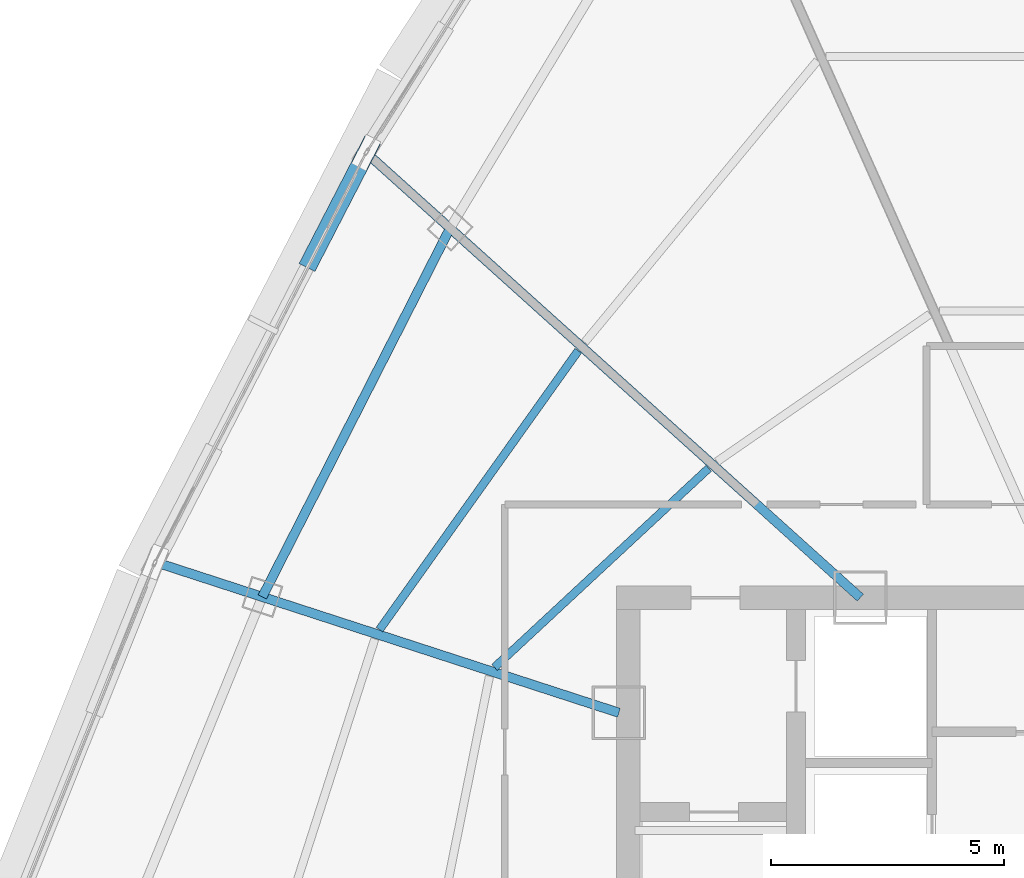
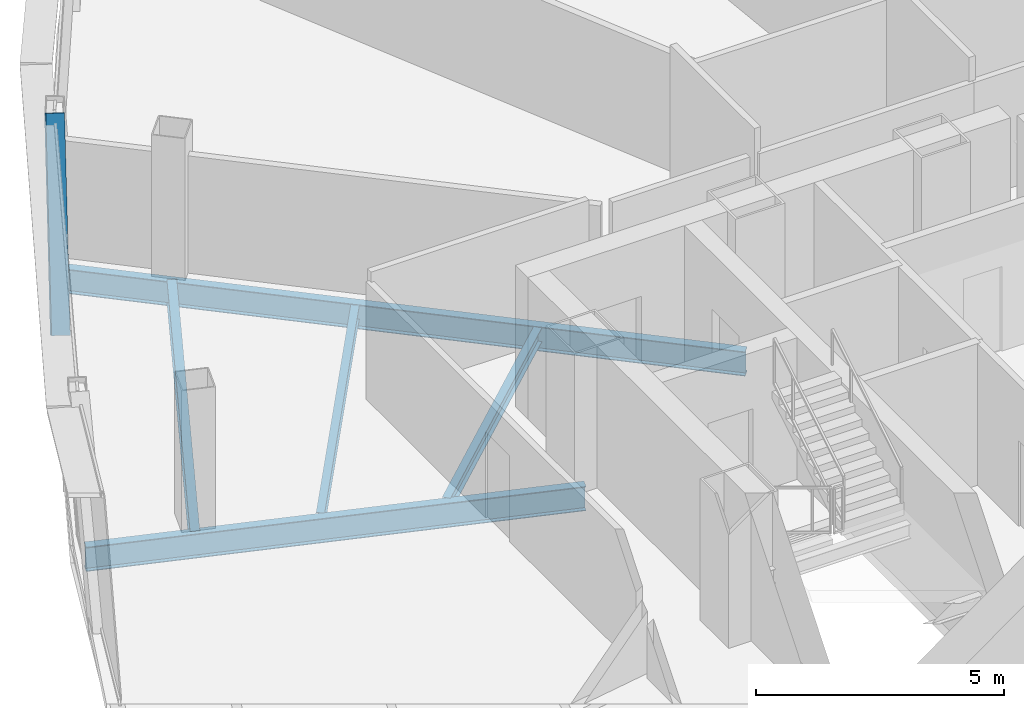
# One storey, part 8 of 30: 5 beams, 1 member.
"""IFC4 building model written with IfcOpenShell, lengths in metres."""

from ifc_helpers import new_model, si_unit, direction, frame, origin, origin_2d, place, context, subcontext, project, spatial, hollow_rectangle, i_section, extrude, source, transform, mapped, material, material_profile, profile_set, type_object, element, save


model = new_model("IFC4")

# Units and contexts
model_context = context("Model", 3, precision=1e-05, world=origin(), true_north=direction((0.0, 1.0)))
body_context = subcontext(model_context, "Body", "Model", "MODEL_VIEW")
ifc_project = project(units=[si_unit("LENGTHUNIT", "METRE"), si_unit("AREAUNIT", "SQUARE_METRE"), si_unit("VOLUMEUNIT", "CUBIC_METRE"), si_unit("PLANEANGLEUNIT", "RADIAN"), si_unit("MASSUNIT", "GRAM", prefix="KILO"), si_unit("THERMODYNAMICTEMPERATUREUNIT", "KELVIN"), si_unit("POWERUNIT", "WATT")], contexts=[model_context])

# Site, building, storey
site_placement = place(None, origin())
site = spatial("IfcSite", under=ifc_project, at=site_placement, CompositionType="ELEMENT")
building_placement = place(site_placement, origin())
building = spatial("IfcBuilding", under=site, at=building_placement, Name="Yunzhuo Pagoda Commons", CompositionType="ELEMENT")
storey_placement = place(building_placement, frame((0.0, 0.0, 348.010009765625)))
storey = spatial("IfcBuildingStorey", under=building, at=storey_placement, Name="L87", CompositionType="ELEMENT", Elevation=348.010009765625)

# Beams
ifc_material = material(Name="Structural steel Q355B", Category="steel")
ifc_material_profile_1 = material_profile(ifc_material, i_section(OverallWidth=0.199951171875, OverallDepth=0.60009765625, WebThickness=0.010986328125, FlangeThickness=0.01708984375, at=origin_2d()), Name="Structural steel Q355B")
ifc_profile_set_1 = profile_set([ifc_material_profile_1], Name="Structural steel Q355B")
beam_type_1 = type_object("IfcBeamType", Name="B-RG3 Beam HN 600x200x11x17", PredefinedType="BEAM", material=ifc_profile_set_1)
shared_shape_1 = source(origin(), body_context, "Body", "SweptSolid", [
    extrude(i_section(OverallWidth=0.199951171875, OverallDepth=0.60009765625, WebThickness=0.010986328125, FlangeThickness=0.01708984375, at=origin_2d()), origin(), (0.0, 0.0, 1.0), 8.87939453125),
])
beam_1_placement = place(storey_placement, frame((31.975341796875, 48.128662109375, -0.56005859375), z_axis=(-0.453723535687, -0.891142498798, 0.0), x_axis=(0.891142498798, -0.453723535687, 0.0)))
element("IfcBeam", 1, at=beam_1_placement, inside=storey, type_object=beam_type_1, Name="L87 column-ring beam 10", PredefinedType="BEAM", context=body_context, shape_type="MappedRepresentation", body=[
    mapped(shared_shape_1, transform((0.0, 0.0, 0.0), scale=1.0)),
])
ifc_material_profile_2 = material_profile(ifc_material, i_section(OverallWidth=0.175048828125, OverallDepth=0.35009765625, WebThickness=0.007080078125, FlangeThickness=0.010986328125, at=origin_2d()), Name="Structural steel Q355B")
ifc_profile_set_2 = profile_set([ifc_material_profile_2], Name="Structural steel Q355B")
beam_type_2 = type_object("IfcBeamType", Name="B-JS2 Joist HN 350x175x7x11", PredefinedType="JOIST", material=ifc_profile_set_2)
shared_shape_2 = source(origin(), body_context, "Body", "SweptSolid", [
    extrude(i_section(OverallWidth=0.175048828125, OverallDepth=0.35009765625, WebThickness=0.007080078125, FlangeThickness=0.010986328125, at=origin_2d()), origin(), (0.0, 0.0, 1.0), 6.277099609375),
])
beam_2_placement = place(storey_placement, frame((37.526611328125, 42.97607421875, -0.43505859375), z_axis=(-0.73244154109, -0.68082992655, 0.0), x_axis=(0.68082992655, -0.73244154109, 0.0)))
element("IfcBeam", 2, at=beam_2_placement, inside=storey, type_object=beam_type_2, Name="L87 composite ring joist 1.10", PredefinedType="JOIST", context=body_context, shape_type="MappedRepresentation", body=[
    mapped(shared_shape_2, transform((0.0, 0.0, 0.0), scale=1.0)),
])
shared_shape_3 = source(origin(), body_context, "Body", "SweptSolid", [
    extrude(i_section(OverallWidth=0.175048828125, OverallDepth=0.35009765625, WebThickness=0.007080078125, FlangeThickness=0.010986328125, at=origin_2d()), origin(), (0.0, 0.0, 1.0), 7.347900390625),
])
beam_3_placement = place(storey_placement, frame((34.726318359375, 45.497802734375, -0.43505859375), z_axis=(-0.580294898948, -0.814406428177, 0.0), x_axis=(0.814406428177, -0.580294898948, 0.0)))
element("IfcBeam", 3, at=beam_3_placement, inside=storey, type_object=beam_type_2, Name="L87 composite ring joist 2.10", PredefinedType="JOIST", context=body_context, shape_type="MappedRepresentation", body=[
    mapped(shared_shape_3, transform((0.0, 0.0, 0.0), scale=1.0)),
])
shared_shape_4 = source(origin(), body_context, "Body", "SweptSolid", [
    extrude(i_section(OverallWidth=0.199951171875, OverallDepth=0.60009765625, WebThickness=0.010986328125, FlangeThickness=0.01708984375, at=origin_2d()), origin(), (0.0, 0.0, 1.0), 10.31103515625),
])
beam_4_placement = place(storey_placement, frame((25.793701171875, 40.915283203125, -0.56005859375), z_axis=(0.951056860321, -0.30901593557, 0.0), x_axis=(0.30901593557, 0.951056860321, 0.0)))
element("IfcBeam", 4, at=beam_4_placement, inside=storey, type_object=beam_type_1, Name="L87 radial floor girder F3C3", PredefinedType="BEAM", context=body_context, shape_type="MappedRepresentation", body=[
    mapped(shared_shape_4, transform((0.0, 0.0, 0.0), scale=1.0)),
])
shared_shape_5 = source(origin(), body_context, "Body", "SweptSolid", [
    extrude(i_section(OverallWidth=0.199951171875, OverallDepth=0.60009765625, WebThickness=0.010986328125, FlangeThickness=0.01708984375, at=origin_2d()), origin(), (0.0, 0.0, 1.0), 14.115966796875),
])
beam_5_placement = place(storey_placement, frame((30.291015625, 49.6455078125, -0.56005859375), z_axis=(0.743133305814, -0.66914340002, 0.0), x_axis=(0.66914340002, 0.743133305814, 0.0)))
element("IfcBeam", 5, at=beam_5_placement, inside=storey, type_object=beam_type_1, Name="L87 radial floor girder F3C2", PredefinedType="BEAM", context=body_context, shape_type="MappedRepresentation", body=[
    mapped(shared_shape_5, transform((0.0, 0.0, 0.0), scale=1.0)),
])

# Member
ifc_material_profile_3 = material_profile(ifc_material, hollow_rectangle(XDim=0.3798828125, YDim=0.719970703125, WallThickness=0.02001953125, at=origin_2d()), Name="Structural steel Q355B")
ifc_profile_set_3 = profile_set([ifc_material_profile_3], Name="Structural steel Q355B")
member_type = type_object("IfcMemberType", Name="M-DL3 Brace BOX 720x380x20", PredefinedType="BRACE", material=ifc_profile_set_3)
shared_shape_6 = source(origin(), body_context, "Body", "SweptSolid", [
    extrude(hollow_rectangle(XDim=0.3798828125, YDim=0.719970703125, WallThickness=0.02001953125, at=origin_2d()), origin(), (0.0, 0.0, 1.0), 4.490966796875),
])
member_placement = place(storey_placement, frame((29.043212890625, 47.552734375, -0.260009765625), z_axis=(0.252129772471, 0.489092618138, 0.834996400422), x_axis=(-0.888846548799, 0.458204989811, 0.0)))
element("IfcMember", 6, at=member_placement, inside=storey, type_object=member_type, Name="L87 facade diamond brace F3.2L", PredefinedType="BRACE", context=body_context, shape_type="MappedRepresentation", body=[
    mapped(shared_shape_6, transform((0.0, 0.0, 0.0), scale=1.0)),
])

save(model, "model.ifc")
